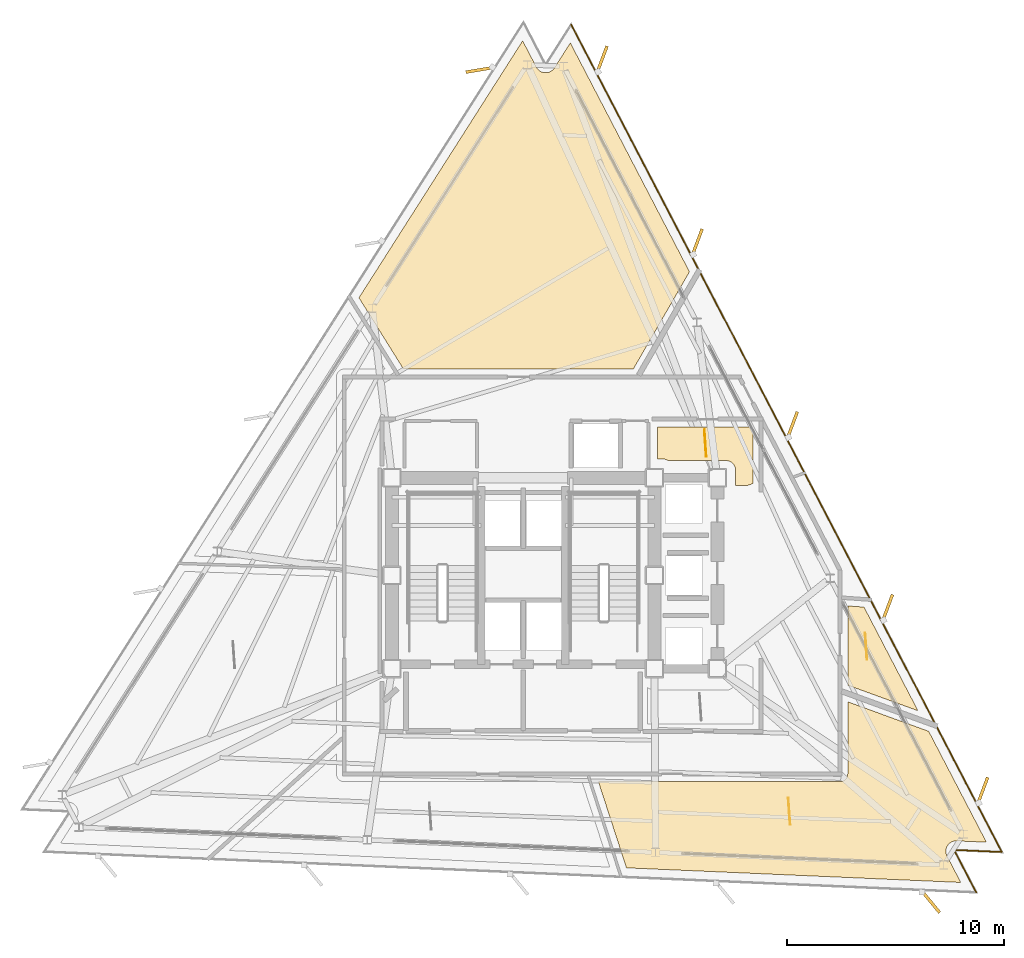
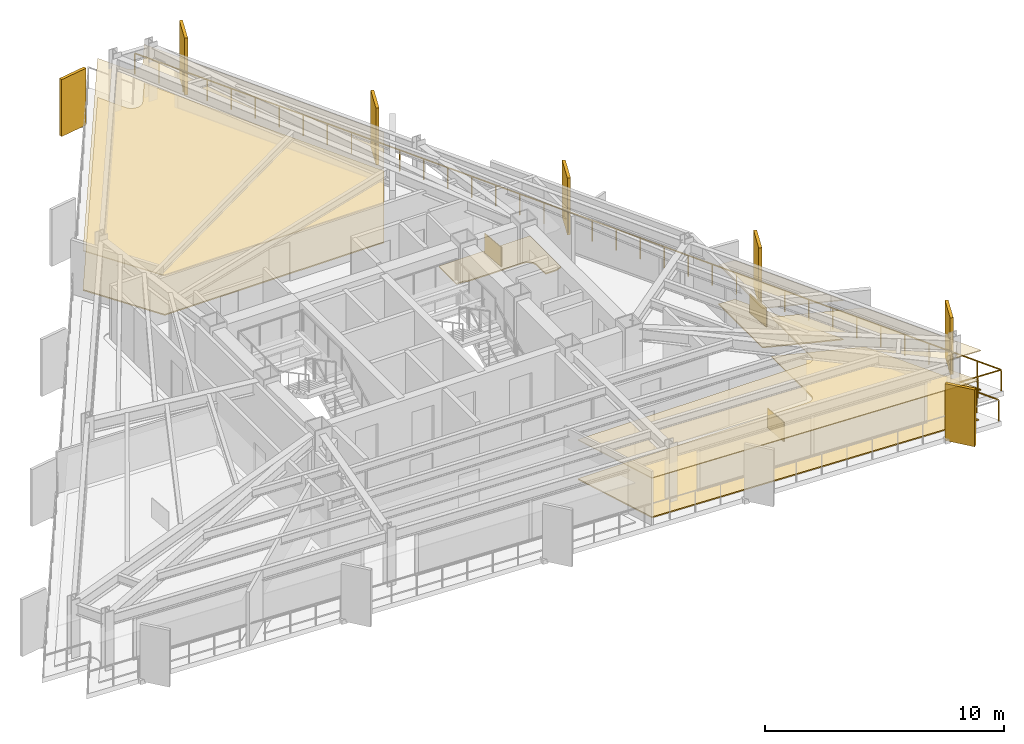
# One storey, part 12 of 12: 10 coverings, 7 shading devices, 1 railing.
"""IFC4 building model written with IfcOpenShell, lengths in metres."""

import ifcopenshell
import ifcopenshell.guid

model = None  # the IFC model being written
_history = None  # IfcOwnerHistory: only IFC2X3 demands one
_inside = {}  # id of a spatial element -> (the spatial element, [elements in it])
_under = {}  # id of a project, library or spatial element -> (it, [spatial elements below it])
_declared = {}  # id of a project -> (the project, [libraries it declares])
_typed = {}  # id of a type object -> (the type object, [elements of that type])
_made_of = {}  # id of a material, layer set ... -> (it, [elements and type objects made of it])


def new_model(schema):
    """Start an empty IFC model of exactly this schema.

    Asked for "IFC4X3", IfcOpenShell would pick the latest addendum, in which some entities
    have other attributes; the version numbers below select the first issue.
    IFC2X3 requires an IfcOwnerHistory on every rooted entity: one is made here for all.
    """
    global model, _history
    if schema == "IFC4X3":
        model = ifcopenshell.file(schema_version=(4, 3, 0, 0))
    else:
        model = ifcopenshell.file(schema=schema)
    _inside.clear()
    _under.clear()
    _declared.clear()
    _typed.clear()
    _made_of.clear()
    _history = None
    if model.schema == "IFC2X3":
        org = make("IfcOrganization", Name="unknown")
        user = make(
            "IfcPersonAndOrganization",
            ThePerson=make("IfcPerson", FamilyName="unknown"),
            TheOrganization=org,
        )
        app = make(
            "IfcApplication",
            ApplicationDeveloper=org,
            Version="unknown",
            ApplicationFullName="unknown",
            ApplicationIdentifier="unknown",
        )
        _history = make(
            "IfcOwnerHistory",
            OwningUser=user,
            OwningApplication=app,
            ChangeAction="ADDED",
            CreationDate=0,
        )
    return model


def make(cls, **values):
    """One entity of the class cls with the attributes given. An attribute that is None is left unset."""
    return model.create_entity(
        cls, **{name: value for name, value in values.items() if value is not None}
    )


def rooted(cls, **values):
    """An entity with a GlobalId (a new one), such as an element, a storey or a relation."""
    return make(cls, GlobalId=ifcopenshell.guid.new(), OwnerHistory=_history, **values)


def si_unit(unit_type, name, prefix=None):
    """IfcSIUnit, for example si_unit("LENGTHUNIT", "METRE", prefix="MILLI")."""
    return make("IfcSIUnit", UnitType=unit_type, Prefix=prefix, Name=name)


def assignment(units):
    """IfcUnitAssignment: the units of a project."""
    return None if units is None else make("IfcUnitAssignment", Units=units)


def point(xyz):
    """IfcCartesianPoint."""
    return None if xyz is None else make("IfcCartesianPoint", Coordinates=xyz)


def direction(xyz):
    """IfcDirection."""
    return None if xyz is None else make("IfcDirection", DirectionRatios=xyz)


def frame(location, z_axis=None, x_axis=None):
    """IfcAxis2Placement3D, a coordinate frame: its origin and axes. An axis left out is left unset."""
    return make(
        "IfcAxis2Placement3D",
        Location=point(location),
        Axis=direction(z_axis),
        RefDirection=direction(x_axis),
    )


def frame_2d(location, x_axis=None):
    """IfcAxis2Placement2D, a coordinate frame in the plane: its origin and x axis."""
    return make(
        "IfcAxis2Placement2D", Location=point(location), RefDirection=direction(x_axis)
    )


def origin():
    """The frame at (0, 0, 0) with its axes left unset."""
    return frame((0.0, 0.0, 0.0))


def origin_2d():
    """The frame at (0, 0) in the plane with its x axis left unset."""
    return frame_2d((0.0, 0.0))


def place(relative_to, where):
    """IfcLocalPlacement: puts the frame where relative to a parent placement (None: the world)."""
    return make(
        "IfcLocalPlacement", PlacementRelTo=relative_to, RelativePlacement=where
    )


def context(
    kind, dimensions, precision=None, world=None, true_north=None, identifier=None
):
    """IfcGeometricRepresentationContext, for example the 3D "Model" context."""
    return make(
        "IfcGeometricRepresentationContext",
        ContextIdentifier=identifier,
        ContextType=kind,
        CoordinateSpaceDimension=dimensions,
        Precision=precision,
        WorldCoordinateSystem=world,
        TrueNorth=true_north,
    )


def subcontext(parent, identifier, kind, view, scale=None):
    """IfcGeometricRepresentationSubContext, for example "Body" below "Model"."""
    return make(
        "IfcGeometricRepresentationSubContext",
        ContextIdentifier=identifier,
        ContextType=kind,
        ParentContext=parent,
        TargetScale=scale,
        TargetView=view,
    )


def project(units=None, contexts=None):
    """IfcProject with its units and contexts."""
    return rooted(
        "IfcProject",
        Name="project",
        RepresentationContexts=contexts,
        UnitsInContext=assignment(units),
    )


def spatial(cls, under=None, at=None, **own):
    """A site, building, storey or space (cls), placed at a placement, below another one or the project."""
    s = rooted(cls, ObjectPlacement=at, **own)
    if under is not None:
        _under.setdefault(under.id(), (under, []))[1].append(s)
    return s


def polyline(points):
    """IfcPolyline through the points."""
    return make("IfcPolyline", Points=[point(p) for p in points])


def profile(cls, at=None, kind="AREA", **sizes):
    """A parametric profile (cls). Its sizes go by their IFC names, for example OverallWidth=200.0."""
    return make(cls, ProfileType=kind, Position=at, **sizes)


def rectangle(**sizes):
    """IfcRectangleProfileDef."""
    return profile("IfcRectangleProfileDef", **sizes)


def outline(outer, holes=None, kind="AREA"):
    """IfcArbitraryClosedProfileDef: a profile drawn as a closed curve; with holes, ...WithVoids."""
    if holes is None:
        return make("IfcArbitraryClosedProfileDef", ProfileType=kind, OuterCurve=outer)
    return make(
        "IfcArbitraryProfileDefWithVoids",
        ProfileType=kind,
        OuterCurve=outer,
        InnerCurves=holes,
    )


def extrude(swept, where, along, depth):
    """IfcExtrudedAreaSolid: the profile swept, set in the frame where, extruded along a direction by depth."""
    return make(
        "IfcExtrudedAreaSolid",
        SweptArea=swept,
        Position=where,
        ExtrudedDirection=direction(along),
        Depth=depth,
    )


def shape(context_of_items, identifier, shape_type, items):
    """IfcShapeRepresentation: the items that make up one representation, for example the "Body"."""
    return make(
        "IfcShapeRepresentation",
        ContextOfItems=context_of_items,
        RepresentationIdentifier=identifier,
        RepresentationType=shape_type,
        Items=items,
    )


def material(Name=None, Category=None):
    """IfcMaterial."""
    return make("IfcMaterial", Name=Name, Category=Category)


def layer(
    of_material, thickness, ventilated=None, Name=None, Category=None, Priority=None
):
    """IfcMaterialLayer: one layer of a wall or slab, of a material (None: an air gap)."""
    return make(
        "IfcMaterialLayer",
        Material=of_material,
        LayerThickness=thickness,
        IsVentilated=ventilated,
        Name=Name,
        Category=Category,
        Priority=Priority,
    )


def layer_set(layers, Name=None):
    """IfcMaterialLayerSet."""
    return make("IfcMaterialLayerSet", MaterialLayers=layers, LayerSetName=Name)


def made_of(thing, what):
    """Note that an element or type object is made of a material, layer set ...; save() writes the relation."""
    if what is not None:
        _made_of.setdefault(what.id(), (what, []))[1].append(thing)
    return thing


def type_object(cls, material=None, **own):
    """A type object (cls), such as IfcWallType, which elements share."""
    return made_of(rooted(cls, **own), material)


def element(
    cls,
    number,
    at=None,
    inside=None,
    cuts=None,
    type_object=None,
    material=None,
    context=None,
    identifier="Body",
    shape_type=None,
    held_by="IfcProductDefinitionShape",
    body=None,
    shapes=None,
    **own,
):
    """One element of the class cls, such as IfcWall. Its Tag is "e" and its number.

    at: its placement. inside: the storey or other place that contains it. cuts: it is an
    opening in that element (IfcRelVoidsElement). A single representation is given by context,
    identifier, shape_type and body (its items); several are given by shapes. held_by: the class
    of the entity that holds the representations. save() writes the other relations.
    """
    e = rooted(cls, Tag="e%d" % number, ObjectPlacement=at, **own)
    if body is not None:
        shapes = [shape(context, identifier, shape_type, body)]
    if shapes is not None:
        e.Representation = make(held_by, Representations=shapes)
    if inside is not None:
        _inside.setdefault(inside.id(), (inside, []))[1].append(e)
    if cuts is not None:
        rooted(
            "IfcRelVoidsElement", RelatingBuildingElement=cuts, RelatedOpeningElement=e
        )
    if type_object is not None:
        _typed.setdefault(type_object.id(), (type_object, []))[1].append(e)
    return made_of(e, material)


def aggregate(whole, parts):
    """IfcRelAggregates: a whole, such as a stair, and the parts it consists of."""
    return rooted("IfcRelAggregates", RelatingObject=whole, RelatedObjects=parts)


def save(model, path):
    """Write the relations noted so far, then the file.

    IfcRelAggregates (storeys below a building ...), IfcRelContainedInSpatialStructure (elements
    in a storey), IfcRelDefinesByType, IfcRelAssociatesMaterial and IfcRelDeclares: one each for
    every whole, place, type object, material and project.
    """
    for whole, parts in _under.values():
        aggregate(whole, parts)
    for where, things in _inside.values():
        rooted(
            "IfcRelContainedInSpatialStructure",
            RelatedElements=things,
            RelatingStructure=where,
        )
    for kind, things in _typed.values():
        rooted("IfcRelDefinesByType", RelatedObjects=things, RelatingType=kind)
    for what, things in _made_of.values():
        rooted("IfcRelAssociatesMaterial", RelatedObjects=things, RelatingMaterial=what)
    for by, libraries in _declared.values():
        rooted("IfcRelDeclares", RelatingContext=by, RelatedDefinitions=libraries)
    model.write(path)


model = new_model("IFC4")

# Units and contexts
model_context = context("Model", 3, precision=1e-05, world=origin(), true_north=direction((0.0, 1.0)))
body_context = subcontext(model_context, "Body", "Model", "MODEL_VIEW")
ifc_project = project(units=[si_unit("LENGTHUNIT", "METRE"), si_unit("AREAUNIT", "SQUARE_METRE"), si_unit("VOLUMEUNIT", "CUBIC_METRE"), si_unit("PLANEANGLEUNIT", "RADIAN"), si_unit("MASSUNIT", "GRAM", prefix="KILO")], contexts=[model_context])

# Site, building, storey
site_placement = place(None, origin())
site = spatial("IfcSite", under=ifc_project, at=site_placement, CompositionType="ELEMENT")
building_placement = place(site_placement, origin())
building = spatial("IfcBuilding", under=site, at=building_placement, Name="Rocaltana Carrier Exchange", CompositionType="ELEMENT")
storey_placement = place(building_placement, frame((0.0, 0.0, 138.080078125)))
storey = spatial("IfcBuildingStorey", under=building, at=storey_placement, Name="L43", CompositionType="ELEMENT", Elevation=138.080078125)

# Coverings
ifc_material_1 = material(Name="Calcium Sulphate & Aluminium Pedestal", Category="aluminium")
ifc_layer_1 = layer(ifc_material_1, 0.06005859375)
ifc_layer_set_1 = layer_set([ifc_layer_1], Name="Calcium Sulphate & Aluminium Pedestal")
covering_type_1 = type_object("IfcCoveringType", Name="Anti-Static Raised Exchange Access Floor 60", PredefinedType="FLOORING", material=ifc_layer_set_1)
covering_1_placement = place(storey_placement, origin())
element("IfcCovering", 1, at=covering_1_placement, inside=storey, type_object=covering_type_1, Name="L43 Network Engineering Studio Finish Floor", PredefinedType="FLOORING", context=body_context, shape_type="SweptSolid", body=[
    extrude(outline(polyline([(21.352294921875, -12.298828125), (19.985107421875, -12.239013671875), (19.97119140625, -12.23876953125), (19.951171875, -12.239013671875), (19.92333984375, -12.240478515625), (19.903564453125, -12.24267578125), (19.8759765625, -12.246826171875), (19.8564453125, -12.2509765625), (19.829345703125, -12.258056640625), (19.810302734375, -12.263916015625), (19.7841796875, -12.273681640625), (19.765869140625, -12.281494140625), (19.740966796875, -12.2939453125), (19.723388671875, -12.303466796875), (19.69970703125, -12.318115234375), (19.683349609375, -12.32958984375), (19.6611328125, -12.3466796875), (19.64599609375, -12.359619140625), (19.62548828125, -12.378662109375), (19.61181640625, -12.392822265625), (19.593505859375, -12.4140625), (19.5810546875, -12.4296875), (19.56494140625, -12.452392578125), (19.55419921875, -12.46923828125), (19.540283203125, -12.493408203125), (19.531494140625, -12.51123046875), (19.52001953125, -12.536865234375), (19.512939453125, -12.555419921875), (19.504150390625, -12.581787109375), (19.498779296875, -12.601318359375), (19.492919921875, -12.62841796875), (19.489501953125, -12.648193359375), (19.486328125, -12.67578125), (19.48486328125, -12.69580078125), (19.484375, -12.7236328125), (19.485107421875, -12.743408203125), (19.4873046875, -12.771240234375), (19.489990234375, -12.791015625), (19.494873046875, -12.818603515625), (19.49951171875, -12.837890625), (19.507080078125, -12.86474609375), (19.513671875, -12.8837890625), (19.52392578125, -12.90966796875), (19.5322265625, -12.927734375), (19.538330078125, -12.940185546875), (20.17041015625, -14.154296875), (4.7587890625, -13.481201171875), (3.468505859375, -9.510009765625), (14.60009765625, -9.510009765625), (14.61376953125, -9.509765625), (14.62158203125, -9.50927734375), (14.64892578125, -9.506591796875), (14.65673828125, -9.50537109375), (14.68359375, -9.5), (14.69140625, -9.498291015625), (14.717529296875, -9.490234375), (14.724853515625, -9.487548828125), (14.750244140625, -9.47705078125), (14.75732421875, -9.4736328125), (14.78173828125, -9.460693359375), (14.788330078125, -9.456787109375), (14.811279296875, -9.44140625), (14.8173828125, -9.436767578125), (14.8388671875, -9.419189453125), (14.844482421875, -9.4140625), (14.864013671875, -9.39453125), (14.869384765625, -9.388916015625), (14.88671875, -9.367431640625), (14.891357421875, -9.361083984375), (14.90673828125, -9.33837890625), (14.91064453125, -9.331787109375), (14.923583984375, -9.307373046875), (14.927001953125, -9.30029296875), (14.9375, -9.27490234375), (14.940185546875, -9.267578125), (14.9482421875, -9.2412109375), (14.9501953125, -9.233642578125), (14.955322265625, -9.206787109375), (14.95654296875, -9.198974609375), (14.959228515625, -9.171630859375), (14.959716796875, -9.163818359375), (14.9599609375, -9.14990234375), (14.9599609375, -5.828125), (18.69091796875, -7.18603515625), (21.352294921875, -12.298828125)])), origin(), (0.0, 0.0, 1.0), 0.059814453125),
])
covering_2_placement = place(storey_placement, origin())
element("IfcCovering", 2, at=covering_2_placement, inside=storey, type_object=covering_type_1, Name="L43 Protocol Calibration Laboratory Finish Floor", PredefinedType="FLOORING", context=body_context, shape_type="SweptSolid", body=[
    extrude(outline(polyline([(18.19873046875, -6.24072265625), (14.9599609375, -5.06201171875), (14.9599609375, -1.406982421875), (15.709716796875, -1.45947265625), (18.19873046875, -6.24072265625)])), origin(), (0.0, 0.0, 1.0), 0.059814453125),
])
covering_3_placement = place(storey_placement, origin())
element("IfcCovering", 3, at=covering_3_placement, inside=storey, type_object=covering_type_1, Name="L43 Network Engineering Studio Finish Floor", PredefinedType="FLOORING", context=body_context, shape_type="SweptSolid", body=[
    extrude(outline(polyline([(6.18994140625, 6.840087890625), (10.60009765625, 6.840087890625), (10.60009765625, 4.2412109375), (10.322021484375, 4.139892578125), (9.7900390625, 4.139892578125), (9.7900390625, 4.85009765625), (9.789794921875, 4.86376953125), (9.788818359375, 4.87939453125), (9.7861328125, 4.90673828125), (9.783935546875, 4.92236328125), (9.778564453125, 4.94921875), (9.774658203125, 4.964599609375), (9.7666015625, 4.99072265625), (9.761474609375, 5.005615234375), (9.7509765625, 5.031005859375), (9.744140625, 5.045166015625), (9.731201171875, 5.0693359375), (9.72314453125, 5.082763671875), (9.7080078125, 5.105712890625), (9.698486328125, 5.118408203125), (9.68115234375, 5.139404296875), (9.670654296875, 5.151123046875), (9.651123046875, 5.170654296875), (9.639404296875, 5.18115234375), (9.618408203125, 5.198486328125), (9.605712890625, 5.2080078125), (9.582763671875, 5.22314453125), (9.5693359375, 5.231201171875), (9.545166015625, 5.244140625), (9.531005859375, 5.2509765625), (9.505615234375, 5.261474609375), (9.49072265625, 5.2666015625), (9.464599609375, 5.274658203125), (9.44921875, 5.278564453125), (9.42236328125, 5.283935546875), (9.40673828125, 5.2861328125), (9.37939453125, 5.288818359375), (9.36376953125, 5.289794921875), (9.35009765625, 5.2900390625), (6.6875, 5.2900390625), (6.682861328125, 5.293212890625), (6.66943359375, 5.30126953125), (6.64501953125, 5.314208984375), (6.630859375, 5.32080078125), (6.605712890625, 5.33154296875), (6.5908203125, 5.336669921875), (6.564453125, 5.3447265625), (6.54931640625, 5.348388671875), (6.522216796875, 5.35400390625), (6.5068359375, 5.356201171875), (6.4794921875, 5.35888671875), (6.463623046875, 5.359619140625), (6.449951171875, 5.360107421875), (6.18994140625, 5.360107421875), (6.18994140625, 6.840087890625)])), origin(), (0.0, 0.0, 1.0), 0.059814453125),
])
covering_4_placement = place(storey_placement, origin())
element("IfcCovering", 4, at=covering_4_placement, inside=storey, type_object=covering_type_1, Name="L43 Photonic Integration Workshop Finish Floor", PredefinedType="FLOORING", context=body_context, shape_type="SweptSolid", body=[
    extrude(outline(polyline([(-0.025146484375, 24.64111328125), (0.606689453125, 23.42724609375), (0.613525390625, 23.4150390625), (0.62353515625, 23.397705078125), (0.638916015625, 23.37451171875), (0.650634765625, 23.3583984375), (0.668212890625, 23.336669921875), (0.681396484375, 23.32177734375), (0.700927734375, 23.3017578125), (0.7158203125, 23.288330078125), (0.7373046875, 23.2705078125), (0.753173828125, 23.258544921875), (0.7763671875, 23.242919921875), (0.79345703125, 23.232666015625), (0.818115234375, 23.219482421875), (0.8359375, 23.2109375), (0.86181640625, 23.2001953125), (0.880615234375, 23.193603515625), (0.9072265625, 23.185546875), (0.9267578125, 23.180908203125), (0.9541015625, 23.17529296875), (0.973876953125, 23.172607421875), (1.001708984375, 23.169921875), (1.021484375, 23.169189453125), (1.04931640625, 23.169189453125), (1.0693359375, 23.17041015625), (1.09716796875, 23.17333984375), (1.11669921875, 23.176513671875), (1.14404296875, 23.18212890625), (1.163330078125, 23.18701171875), (1.18994140625, 23.195556640625), (1.208740234375, 23.202392578125), (1.234375, 23.21337890625), (1.252197265625, 23.22216796875), (1.276611328125, 23.235595703125), (1.293701171875, 23.24609375), (1.316650390625, 23.26220703125), (1.33251953125, 23.2744140625), (1.353759765625, 23.292236328125), (1.368408203125, 23.305908203125), (1.3876953125, 23.326171875), (1.400634765625, 23.341064453125), (1.41796875, 23.363037109375), (1.429443359375, 23.37939453125), (1.437255859375, 23.390869140625), (2.172607421875, 24.545166015625), (7.66455078125, 13.995361328125), (5.074951171875, 9.510009765625), (-5.51806640625, 9.510009765625), (-7.5712890625, 12.796142578125), (-0.025146484375, 24.64111328125)])), origin(), (0.0, 0.0, 1.0), 0.059814453125),
])
ifc_material_2 = material(Name="Mineral Fibre & Powder-Coated Aluminium", Category="aluminium")
ifc_layer_2 = layer(ifc_material_2, 0.044921875)
ifc_layer_set_2 = layer_set([ifc_layer_2], Name="Mineral Fibre & Powder-Coated Aluminium")
covering_type_2 = type_object("IfcCoveringType", Name="Micro-Perforated Acoustic Ceiling 45", PredefinedType="CEILING", material=ifc_layer_set_2)
covering_5_placement = place(storey_placement, frame((0.0, 0.0, 2.012939453125)))
element("IfcCovering", 5, at=covering_5_placement, inside=storey, type_object=covering_type_2, Name="L43 Network Engineering Studio Acoustic Ceiling", PredefinedType="CEILING", context=body_context, shape_type="SweptSolid", body=[
    extrude(outline(polyline([(21.352294921875, -12.298828125), (19.985107421875, -12.239013671875), (19.97119140625, -12.23876953125), (19.951171875, -12.239013671875), (19.92333984375, -12.240478515625), (19.903564453125, -12.24267578125), (19.8759765625, -12.246826171875), (19.8564453125, -12.2509765625), (19.829345703125, -12.258056640625), (19.810302734375, -12.263916015625), (19.7841796875, -12.273681640625), (19.765869140625, -12.281494140625), (19.740966796875, -12.2939453125), (19.723388671875, -12.303466796875), (19.69970703125, -12.318115234375), (19.683349609375, -12.32958984375), (19.6611328125, -12.3466796875), (19.64599609375, -12.359619140625), (19.62548828125, -12.378662109375), (19.61181640625, -12.392822265625), (19.593505859375, -12.4140625), (19.5810546875, -12.4296875), (19.56494140625, -12.452392578125), (19.55419921875, -12.46923828125), (19.540283203125, -12.493408203125), (19.531494140625, -12.51123046875), (19.52001953125, -12.536865234375), (19.512939453125, -12.555419921875), (19.504150390625, -12.581787109375), (19.498779296875, -12.601318359375), (19.492919921875, -12.62841796875), (19.489501953125, -12.648193359375), (19.486328125, -12.67578125), (19.48486328125, -12.69580078125), (19.484375, -12.7236328125), (19.485107421875, -12.743408203125), (19.4873046875, -12.771240234375), (19.489990234375, -12.791015625), (19.494873046875, -12.818603515625), (19.49951171875, -12.837890625), (19.507080078125, -12.86474609375), (19.513671875, -12.8837890625), (19.52392578125, -12.90966796875), (19.5322265625, -12.927734375), (19.538330078125, -12.940185546875), (20.17041015625, -14.154296875), (4.7587890625, -13.481201171875), (3.468505859375, -9.510009765625), (14.60009765625, -9.510009765625), (14.61376953125, -9.509765625), (14.62158203125, -9.50927734375), (14.64892578125, -9.506591796875), (14.65673828125, -9.50537109375), (14.68359375, -9.5), (14.69140625, -9.498291015625), (14.717529296875, -9.490234375), (14.724853515625, -9.487548828125), (14.750244140625, -9.47705078125), (14.75732421875, -9.4736328125), (14.78173828125, -9.460693359375), (14.788330078125, -9.456787109375), (14.811279296875, -9.44140625), (14.8173828125, -9.436767578125), (14.8388671875, -9.419189453125), (14.844482421875, -9.4140625), (14.864013671875, -9.39453125), (14.869384765625, -9.388916015625), (14.88671875, -9.367431640625), (14.891357421875, -9.361083984375), (14.90673828125, -9.33837890625), (14.91064453125, -9.331787109375), (14.923583984375, -9.307373046875), (14.927001953125, -9.30029296875), (14.9375, -9.27490234375), (14.940185546875, -9.267578125), (14.9482421875, -9.2412109375), (14.9501953125, -9.233642578125), (14.955322265625, -9.206787109375), (14.95654296875, -9.198974609375), (14.959228515625, -9.171630859375), (14.959716796875, -9.163818359375), (14.9599609375, -9.14990234375), (14.9599609375, -5.828125), (18.69091796875, -7.18603515625), (21.352294921875, -12.298828125)])), origin(), (0.0, 0.0, 1.0), 0.044921875),
])
covering_6_placement = place(storey_placement, frame((0.0, 0.0, 2.012939453125)))
element("IfcCovering", 6, at=covering_6_placement, inside=storey, type_object=covering_type_2, Name="L43 Protocol Calibration Laboratory Acoustic Ceiling", PredefinedType="CEILING", context=body_context, shape_type="SweptSolid", body=[
    extrude(outline(polyline([(18.19873046875, -6.24072265625), (14.9599609375, -5.06201171875), (14.9599609375, -1.406982421875), (15.709716796875, -1.45947265625), (18.19873046875, -6.24072265625)])), origin(), (0.0, 0.0, 1.0), 0.044921875),
])
covering_7_placement = place(storey_placement, frame((0.0, 0.0, 2.012939453125)))
element("IfcCovering", 7, at=covering_7_placement, inside=storey, type_object=covering_type_2, Name="L43 Photonic Integration Workshop Acoustic Ceiling", PredefinedType="CEILING", context=body_context, shape_type="SweptSolid", body=[
    extrude(outline(polyline([(-0.025146484375, 24.64111328125), (0.606689453125, 23.42724609375), (0.613525390625, 23.4150390625), (0.62353515625, 23.397705078125), (0.638916015625, 23.37451171875), (0.650634765625, 23.3583984375), (0.668212890625, 23.336669921875), (0.681396484375, 23.32177734375), (0.700927734375, 23.3017578125), (0.7158203125, 23.288330078125), (0.7373046875, 23.2705078125), (0.753173828125, 23.258544921875), (0.7763671875, 23.242919921875), (0.79345703125, 23.232666015625), (0.818115234375, 23.219482421875), (0.8359375, 23.2109375), (0.86181640625, 23.2001953125), (0.880615234375, 23.193603515625), (0.9072265625, 23.185546875), (0.9267578125, 23.180908203125), (0.9541015625, 23.17529296875), (0.973876953125, 23.172607421875), (1.001708984375, 23.169921875), (1.021484375, 23.169189453125), (1.04931640625, 23.169189453125), (1.0693359375, 23.17041015625), (1.09716796875, 23.17333984375), (1.11669921875, 23.176513671875), (1.14404296875, 23.18212890625), (1.163330078125, 23.18701171875), (1.18994140625, 23.195556640625), (1.208740234375, 23.202392578125), (1.234375, 23.21337890625), (1.252197265625, 23.22216796875), (1.276611328125, 23.235595703125), (1.293701171875, 23.24609375), (1.316650390625, 23.26220703125), (1.33251953125, 23.2744140625), (1.353759765625, 23.292236328125), (1.368408203125, 23.305908203125), (1.3876953125, 23.326171875), (1.400634765625, 23.341064453125), (1.41796875, 23.363037109375), (1.429443359375, 23.37939453125), (1.437255859375, 23.390869140625), (2.172607421875, 24.545166015625), (7.66455078125, 13.995361328125), (5.074951171875, 9.510009765625), (-5.51806640625, 9.510009765625), (-7.5712890625, 12.796142578125), (-0.025146484375, 24.64111328125)])), origin(), (0.0, 0.0, 1.0), 0.044921875),
])
ifc_material_3 = material(Name="Honed Piedra Muneca Sandstone", Category="masonry")
ifc_layer_3 = layer(ifc_material_3, 0.034912109375)
ifc_layer_set_3 = layer_set([ifc_layer_3], Name="Honed Piedra Muneca Sandstone")
covering_type_3 = type_object("IfcCoveringType", Name="Stone Facade Cladding 35", PredefinedType="CLADDING", material=ifc_layer_set_3)
for number, where, z_axis, x_axis, name in (
    (8, (12.261474609375, -10.87451171875, 0.0), (0.0, 0.0, 1.0), (-0.069756473744, 0.99756405026, 0.0), "L43 Stone Facade Cladding Panel 3"),
    (9, (15.8037109375, -3.2607421875, 0.0), (0.0, 0.0, 1.0), (-0.069756473744, 0.99756405026, 0.0), "L43 Stone Facade Cladding Panel 5"),
    (10, (8.39501953125, 6.10009765625, 0.0), (0.0, 0.0, 1.0), (-0.069756473744, 0.99756405026, 0.0), "L43 Stone Facade Cladding Panel 6"),
):
    element("IfcCovering", number, at=place(storey_placement, frame(where, z_axis=z_axis, x_axis=x_axis)), inside=storey, type_object=covering_type_3, Name=name, PredefinedType="CLADDING", context=body_context, shape_type="SweptSolid", body=[
        extrude(rectangle(XDim=1.25, YDim=0.034912109375, at=origin_2d()), origin(), (0.0, 0.0, 1.0), 1.050048828125),
    ])

# Shading devices
ifc_material_4 = material(Name="Honed Bogota Sandstone & Concrete C45/55", Category="masonry")
ifc_layer_4 = layer(ifc_material_4, 0.139892578125)
ifc_layer_set_4 = layer_set([ifc_layer_4], Name="Honed Bogota Sandstone & Concrete C45/55")
shading_device_type = type_object("IfcShadingDeviceType", Name="Vertical Sandstone Shading Fin 1320x140", PredefinedType="USERDEFINED", material=ifc_layer_set_4)
for number, where, z_axis, x_axis, name in (
    (11, (21.1787109375, -9.927490234375, -0.1201171875), (0.0, 0.0, 1.0), (0.350207381259, 0.936672189248, 0.0), "L43 Sandstone Vertical Fin F1-01"),
    (12, (16.7919921875, -1.5009765625, -0.1201171875), (0.0, 0.0, 1.0), (0.350207381259, 0.936672189248, 0.0), "L43 Sandstone Vertical Fin F1-02"),
    (13, (12.405517578125, 6.925537109375, -0.1201171875), (0.0, 0.0, 1.0), (0.350207381259, 0.936672189248, 0.0), "L43 Sandstone Vertical Fin F1-03"),
    (14, (8.018798828125, 15.352294921875, -0.1201171875), (0.0, 0.0, 1.0), (0.350207381259, 0.936672189248, 0.0), "L43 Sandstone Vertical Fin F1-04"),
    (15, (3.63232421875, 23.77880859375, -0.1201171875), (0.0, 0.0, 1.0), (0.350207381259, 0.936672189248, 0.0), "L43 Sandstone Vertical Fin F1-05"),
    (16, (-1.99169921875, 23.30517578125, -0.1201171875), (0.0, 0.0, 1.0), (-0.986285601537, -0.165047605861, 0.0), "L43 Sandstone Vertical Fin F2-01"),
    (17, (18.77685546875, -15.034912109375, -0.1201171875), (0.0, 0.0, 1.0), (0.636078220278, -0.771624583388, 0.0), "L43 Sandstone Vertical Fin F3-05"),
):
    element("IfcShadingDevice", number, at=place(storey_placement, frame(where, z_axis=z_axis, x_axis=x_axis)), inside=storey, type_object=shading_device_type, Name=name, ObjectType="FIN", PredefinedType="USERDEFINED", context=body_context, shape_type="SweptSolid", body=[
        extrude(rectangle(XDim=1.320068359375, YDim=0.139892578125, at=origin_2d()), origin(), (0.0, 0.0, 1.0), 2.907958984375),
    ])

# Railing
ifc_material_5 = material(Name="Powder-Coated Aluminium 6063-T6", Category="aluminium")
ifc_layer_5 = layer(ifc_material_5, 0.06005859375)
ifc_layer_set_5 = layer_set([ifc_layer_5], Name="Powder-Coated Aluminium 6063-T6")
railing_type = type_object("IfcRailingType", Name="Wind-Floor & Terrace Perimeter Guardrail 1100", PredefinedType="GUARDRAIL", material=ifc_layer_set_5)
railing_placement = place(storey_placement, frame((2.20947265625, 25.384521484375, 0.0)))
element("IfcRailing", 18, at=railing_placement, inside=storey, type_object=railing_type, Name="L43 Perimeter Balcony Guardrail 3", PredefinedType="GUARDRAIL", context=body_context, shape_type="SweptSolid", body=[
    extrude(rectangle(XDim=0.048095703125, YDim=0.048095703125, at=origin_2d()), frame((0.0, 0.0, 1.076171875), z_axis=(0.461743909672, -0.887013281682, 0.0), x_axis=(0.887013281682, 0.461743909672, 0.0)), (0.0, 0.0, 1.0), 42.991943359375),
    extrude(rectangle(XDim=0.048095703125, YDim=0.048095703125, at=origin_2d()), frame((19.851318359375, -38.134521484375, 1.076171875), z_axis=(-0.999048394753, 0.043615420922, 0.0), x_axis=(-0.043615420922, -0.999048394753, 0.0)), (0.0, 0.0, 1.0), 2.199951171875),
    extrude(rectangle(XDim=0.048095703125, YDim=0.048095703125, at=origin_2d()), frame((17.653564453125, -38.03857421875, 1.076171875), z_axis=(0.461758004933, -0.887005944107, 0.0), x_axis=(0.887005944107, 0.461758004933, 0.0)), (0.0, 0.0, 1.0), 2.199951171875),
    extrude(rectangle(XDim=0.0419921875, YDim=0.0419921875, at=origin_2d()), origin(), (0.0, 0.0, 1.0), 1.052001953125),
    extrude(rectangle(XDim=0.0419921875, YDim=0.0419921875, at=origin_2d()), frame((0.551513671875, -1.059326171875, 0.0)), (0.0, 0.0, 1.0), 1.052001953125),
    extrude(rectangle(XDim=0.0419921875, YDim=0.0419921875, at=origin_2d()), frame((1.102783203125, -2.11865234375, 0.0)), (0.0, 0.0, 1.0), 1.052001953125),
    extrude(rectangle(XDim=0.0419921875, YDim=0.0419921875, at=origin_2d()), frame((1.654296875, -3.177978515625, 0.0)), (0.0, 0.0, 1.0), 1.052001953125),
    extrude(rectangle(XDim=0.0419921875, YDim=0.0419921875, at=origin_2d()), frame((2.205810546875, -4.237060546875, 0.0)), (0.0, 0.0, 1.0), 1.052001953125),
    extrude(rectangle(XDim=0.0419921875, YDim=0.0419921875, at=origin_2d()), frame((2.757080078125, -5.29638671875, 0.0)), (0.0, 0.0, 1.0), 1.052001953125),
    extrude(rectangle(XDim=0.0419921875, YDim=0.0419921875, at=origin_2d()), frame((3.30859375, -6.355712890625, 0.0)), (0.0, 0.0, 1.0), 1.052001953125),
    extrude(rectangle(XDim=0.0419921875, YDim=0.0419921875, at=origin_2d()), frame((3.85986328125, -7.4150390625, 0.0)), (0.0, 0.0, 1.0), 1.052001953125),
    extrude(rectangle(XDim=0.0419921875, YDim=0.0419921875, at=origin_2d()), frame((4.411376953125, -8.474365234375, 0.0)), (0.0, 0.0, 1.0), 1.052001953125),
    extrude(rectangle(XDim=0.0419921875, YDim=0.0419921875, at=origin_2d()), frame((4.962890625, -9.53369140625, 0.0)), (0.0, 0.0, 1.0), 1.052001953125),
    extrude(rectangle(XDim=0.0419921875, YDim=0.0419921875, at=origin_2d()), frame((5.51416015625, -10.593017578125, 0.0)), (0.0, 0.0, 1.0), 1.052001953125),
    extrude(rectangle(XDim=0.0419921875, YDim=0.0419921875, at=origin_2d()), frame((6.065673828125, -11.652099609375, 0.0)), (0.0, 0.0, 1.0), 1.052001953125),
    extrude(rectangle(XDim=0.0419921875, YDim=0.0419921875, at=origin_2d()), frame((6.6171875, -12.71142578125, 0.0)), (0.0, 0.0, 1.0), 1.052001953125),
    extrude(rectangle(XDim=0.0419921875, YDim=0.0419921875, at=origin_2d()), frame((7.16845703125, -13.770751953125, 0.0)), (0.0, 0.0, 1.0), 1.052001953125),
    extrude(rectangle(XDim=0.0419921875, YDim=0.0419921875, at=origin_2d()), frame((7.719970703125, -14.830078125, 0.0)), (0.0, 0.0, 1.0), 1.052001953125),
    extrude(rectangle(XDim=0.0419921875, YDim=0.0419921875, at=origin_2d()), frame((8.271484375, -15.889404296875, 0.0)), (0.0, 0.0, 1.0), 1.052001953125),
    extrude(rectangle(XDim=0.0419921875, YDim=0.0419921875, at=origin_2d()), frame((8.82275390625, -16.94873046875, 0.0)), (0.0, 0.0, 1.0), 1.052001953125),
    extrude(rectangle(XDim=0.0419921875, YDim=0.0419921875, at=origin_2d()), frame((9.374267578125, -18.008056640625, 0.0)), (0.0, 0.0, 1.0), 1.052001953125),
    extrude(rectangle(XDim=0.0419921875, YDim=0.0419921875, at=origin_2d()), frame((9.92578125, -19.0673828125, 0.0)), (0.0, 0.0, 1.0), 1.052001953125),
    extrude(rectangle(XDim=0.0419921875, YDim=0.0419921875, at=origin_2d()), frame((10.47705078125, -20.12646484375, 0.0)), (0.0, 0.0, 1.0), 1.052001953125),
    extrude(rectangle(XDim=0.0419921875, YDim=0.0419921875, at=origin_2d()), frame((11.028564453125, -21.185791015625, 0.0)), (0.0, 0.0, 1.0), 1.052001953125),
    extrude(rectangle(XDim=0.0419921875, YDim=0.0419921875, at=origin_2d()), frame((11.579833984375, -22.2451171875, 0.0)), (0.0, 0.0, 1.0), 1.052001953125),
    extrude(rectangle(XDim=0.0419921875, YDim=0.0419921875, at=origin_2d()), frame((12.13134765625, -23.304443359375, 0.0)), (0.0, 0.0, 1.0), 1.052001953125),
    extrude(rectangle(XDim=0.0419921875, YDim=0.0419921875, at=origin_2d()), frame((12.682861328125, -24.36376953125, 0.0)), (0.0, 0.0, 1.0), 1.052001953125),
    extrude(rectangle(XDim=0.0419921875, YDim=0.0419921875, at=origin_2d()), frame((13.234130859375, -25.423095703125, 0.0)), (0.0, 0.0, 1.0), 1.052001953125),
    extrude(rectangle(XDim=0.0419921875, YDim=0.0419921875, at=origin_2d()), frame((13.78564453125, -26.482421875, 0.0)), (0.0, 0.0, 1.0), 1.052001953125),
    extrude(rectangle(XDim=0.0419921875, YDim=0.0419921875, at=origin_2d()), frame((14.337158203125, -27.54150390625, 0.0)), (0.0, 0.0, 1.0), 1.052001953125),
    extrude(rectangle(XDim=0.0419921875, YDim=0.0419921875, at=origin_2d()), frame((14.888427734375, -28.600830078125, 0.0)), (0.0, 0.0, 1.0), 1.052001953125),
    extrude(rectangle(XDim=0.0419921875, YDim=0.0419921875, at=origin_2d()), frame((15.43994140625, -29.66015625, 0.0)), (0.0, 0.0, 1.0), 1.052001953125),
    extrude(rectangle(XDim=0.0419921875, YDim=0.0419921875, at=origin_2d()), frame((15.991455078125, -30.719482421875, 0.0)), (0.0, 0.0, 1.0), 1.052001953125),
    extrude(rectangle(XDim=0.0419921875, YDim=0.0419921875, at=origin_2d()), frame((16.542724609375, -31.77880859375, 0.0)), (0.0, 0.0, 1.0), 1.052001953125),
    extrude(rectangle(XDim=0.0419921875, YDim=0.0419921875, at=origin_2d()), frame((17.09423828125, -32.838134765625, 0.0)), (0.0, 0.0, 1.0), 1.052001953125),
    extrude(rectangle(XDim=0.0419921875, YDim=0.0419921875, at=origin_2d()), frame((17.6455078125, -33.8974609375, 0.0)), (0.0, 0.0, 1.0), 1.052001953125),
    extrude(rectangle(XDim=0.0419921875, YDim=0.0419921875, at=origin_2d()), frame((18.197021484375, -34.95654296875, 0.0)), (0.0, 0.0, 1.0), 1.052001953125),
    extrude(rectangle(XDim=0.0419921875, YDim=0.0419921875, at=origin_2d()), frame((18.74853515625, -36.015869140625, 0.0)), (0.0, 0.0, 1.0), 1.052001953125),
    extrude(rectangle(XDim=0.0419921875, YDim=0.0419921875, at=origin_2d()), frame((19.2998046875, -37.0751953125, 0.0)), (0.0, 0.0, 1.0), 1.052001953125),
    extrude(rectangle(XDim=0.0419921875, YDim=0.0419921875, at=origin_2d()), frame((19.851318359375, -38.134521484375, 0.0)), (0.0, 0.0, 1.0), 1.052001953125),
    extrude(rectangle(XDim=0.0419921875, YDim=0.0419921875, at=origin_2d()), frame((18.75244140625, -38.08642578125, 0.0)), (0.0, 0.0, 1.0), 1.052001953125),
    extrude(rectangle(XDim=0.0419921875, YDim=0.0419921875, at=origin_2d()), frame((17.653564453125, -38.03857421875, 0.0)), (0.0, 0.0, 1.0), 1.052001953125),
    extrude(rectangle(XDim=0.0419921875, YDim=0.0419921875, at=origin_2d()), frame((18.16162109375, -39.01416015625, 0.0)), (0.0, 0.0, 1.0), 1.052001953125),
    extrude(rectangle(XDim=0.0419921875, YDim=0.0419921875, at=origin_2d()), frame((18.66943359375, -39.989990234375, 0.0)), (0.0, 0.0, 1.0), 1.052001953125),
])

save(model, "model.ifc")
